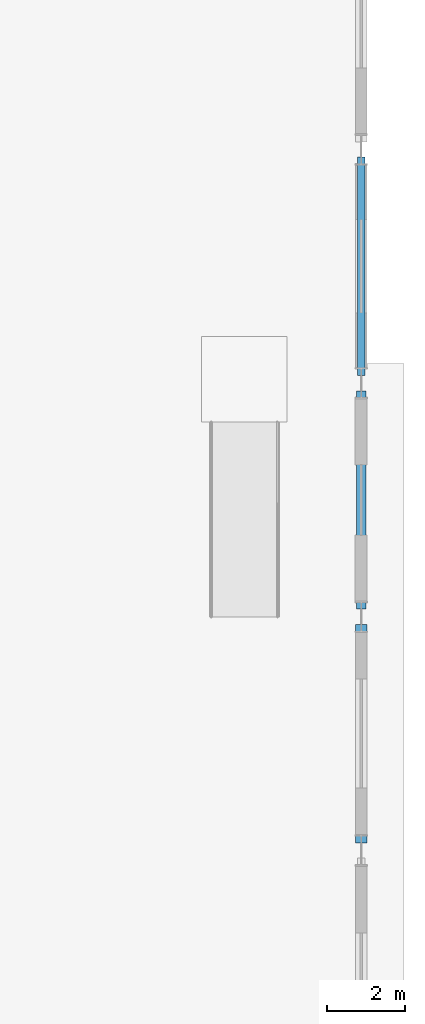
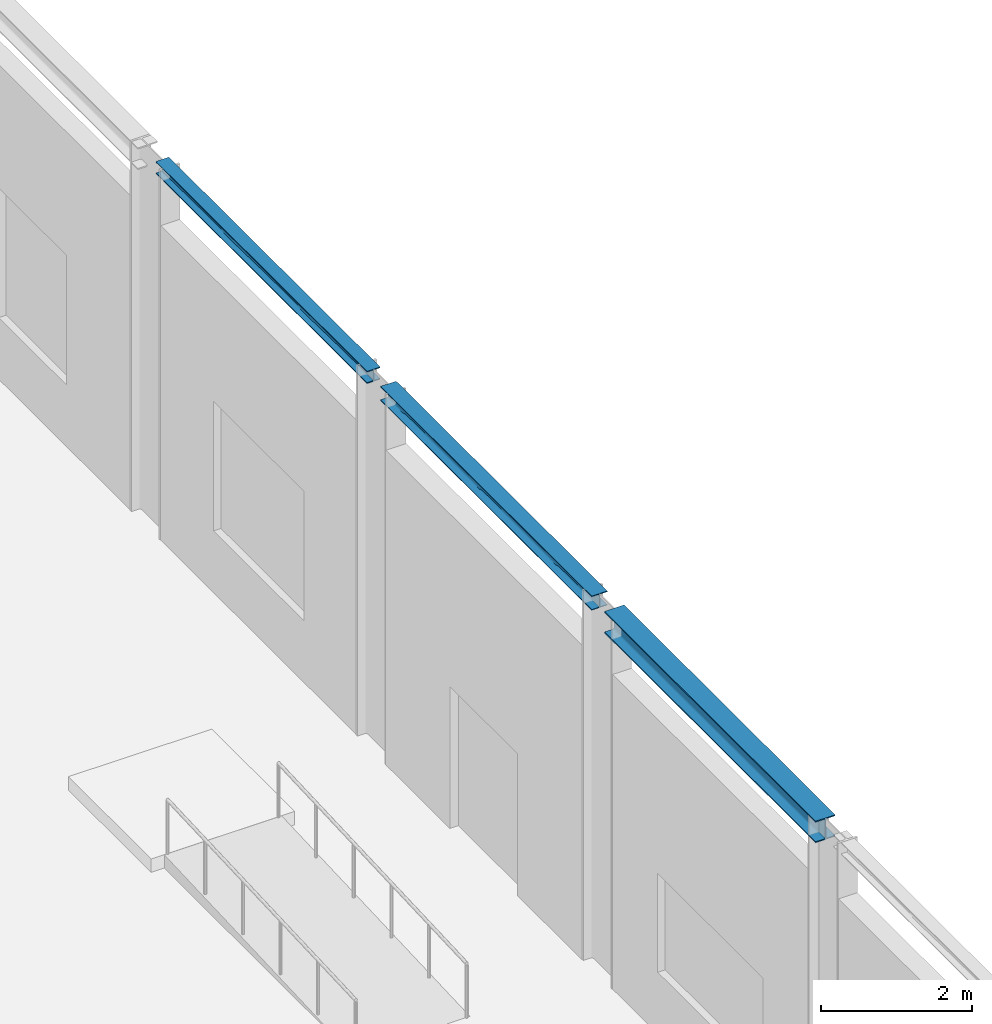
# One storey, part 93 of 146: 3 beams.
"""IFC4 building model written with IfcOpenShell, lengths in metres."""

from ifc_helpers import new_model, si_unit, direction, frame, origin, origin_2d, place, context, subcontext, project, spatial, i_section, extrude, material, material_profile, profile_set, type_object, element, save


model = new_model("IFC4")

# Units and contexts
model_context = context("Model", 3, precision=1e-05, world=origin(), true_north=direction((0.0, 1.0)))
body_context = subcontext(model_context, "Body", "Model", "MODEL_VIEW")
ifc_project = project(units=[si_unit("LENGTHUNIT", "METRE"), si_unit("AREAUNIT", "SQUARE_METRE"), si_unit("VOLUMEUNIT", "CUBIC_METRE"), si_unit("PLANEANGLEUNIT", "RADIAN"), si_unit("MASSUNIT", "GRAM", prefix="KILO")], contexts=[model_context])

# Site, building, storey
site_placement = place(None, origin())
site = spatial("IfcSite", under=ifc_project, at=site_placement, CompositionType="ELEMENT")
building_placement = place(site_placement, origin())
building = spatial("IfcBuilding", under=site, at=building_placement, Name="Kaldris Quays Convention Centre", CompositionType="ELEMENT")
storey_placement = place(building_placement, origin())
storey = spatial("IfcBuildingStorey", under=building, at=storey_placement, Name="L00", CompositionType="ELEMENT", Elevation=0.0)

# Beams
ifc_material = material(Name="Steel S355J2", Category="steel")
ifc_material_profile_1 = material_profile(ifc_material, i_section(OverallWidth=0.300048828125, OverallDepth=0.35009765625, WebThickness=0.010009765625, FlangeThickness=0.017578125, FilletRadius=0.027099609375, at=origin_2d()), Name="HEA 360")
ifc_profile_set_1 = profile_set([ifc_material_profile_1], Name="Steel S355J2")
beam_type_1 = type_object("IfcBeamType", Name="STRUCTURAL BEAM SP02", PredefinedType="SPANDREL", material=ifc_profile_set_1)
beam_1_placement = place(storey_placement, frame((204.0, 80.195068359375, 5.824951171875), z_axis=(0.0, 1.0, 0.0), x_axis=(-1.0, 0.0, 0.0)))
element("IfcBeam", 1, at=beam_1_placement, inside=storey, type_object=beam_type_1, Name="L00 Perimeter Wall-Bearing Spandrel SP02 32", PredefinedType="SPANDREL", context=body_context, shape_type="SweptSolid", body=[
    extrude(i_section(OverallWidth=0.300048828125, OverallDepth=0.35009765625, WebThickness=0.010009765625, FlangeThickness=0.017578125, FilletRadius=0.027099609375, at=origin_2d()), origin(), (0.0, 0.0, 1.0), 5.60986328125),
])
ifc_material_profile_2 = material_profile(ifc_material, i_section(OverallWidth=0.239990234375, OverallDepth=0.22998046875, WebThickness=0.007568359375, FlangeThickness=0.011962890625, FilletRadius=0.02099609375, at=origin_2d()), Name="HEA 240")
ifc_profile_set_2 = profile_set([ifc_material_profile_2], Name="Steel S355J2")
beam_type_2 = type_object("IfcBeamType", Name="STRUCTURAL BEAM SP04", PredefinedType="SPANDREL", material=ifc_profile_set_2)
beam_2_placement = place(storey_placement, frame((204.0, 86.195068359375, 5.885009765625), z_axis=(0.0, 1.0, 0.0), x_axis=(-1.0, 0.0, 0.0)))
element("IfcBeam", 2, at=beam_2_placement, inside=storey, type_object=beam_type_2, Name="L00 Perimeter Wall-Bearing Spandrel SP04 34", PredefinedType="SPANDREL", context=body_context, shape_type="SweptSolid", body=[
    extrude(i_section(OverallWidth=0.239990234375, OverallDepth=0.22998046875, WebThickness=0.007568359375, FlangeThickness=0.011962890625, FilletRadius=0.02099609375, at=origin_2d()), origin(), (0.0, 0.0, 1.0), 5.60986328125),
])
ifc_material_profile_3 = material_profile(ifc_material, i_section(OverallWidth=0.199951171875, OverallDepth=0.199951171875, WebThickness=0.009033203125, FlangeThickness=0.014892578125, FilletRadius=0.01806640625, at=origin_2d()), Name="HEB 200")
ifc_profile_set_3 = profile_set([ifc_material_profile_3], Name="Steel S355J2")
beam_type_3 = type_object("IfcBeamType", Name="STRUCTURAL BEAM SP06", PredefinedType="SPANDREL", material=ifc_profile_set_3)
beam_3_placement = place(storey_placement, frame((204.0, 92.195068359375, 5.89990234375), z_axis=(0.0, 1.0, 0.0), x_axis=(-1.0, 0.0, 0.0)))
element("IfcBeam", 3, at=beam_3_placement, inside=storey, type_object=beam_type_3, Name="L00 Perimeter Wall-Bearing Spandrel SP06 36", PredefinedType="SPANDREL", context=body_context, shape_type="SweptSolid", body=[
    extrude(i_section(OverallWidth=0.199951171875, OverallDepth=0.199951171875, WebThickness=0.009033203125, FlangeThickness=0.014892578125, FilletRadius=0.01806640625, at=origin_2d()), origin(), (0.0, 0.0, 1.0), 5.60986328125),
])

save(model, "model.ifc")
